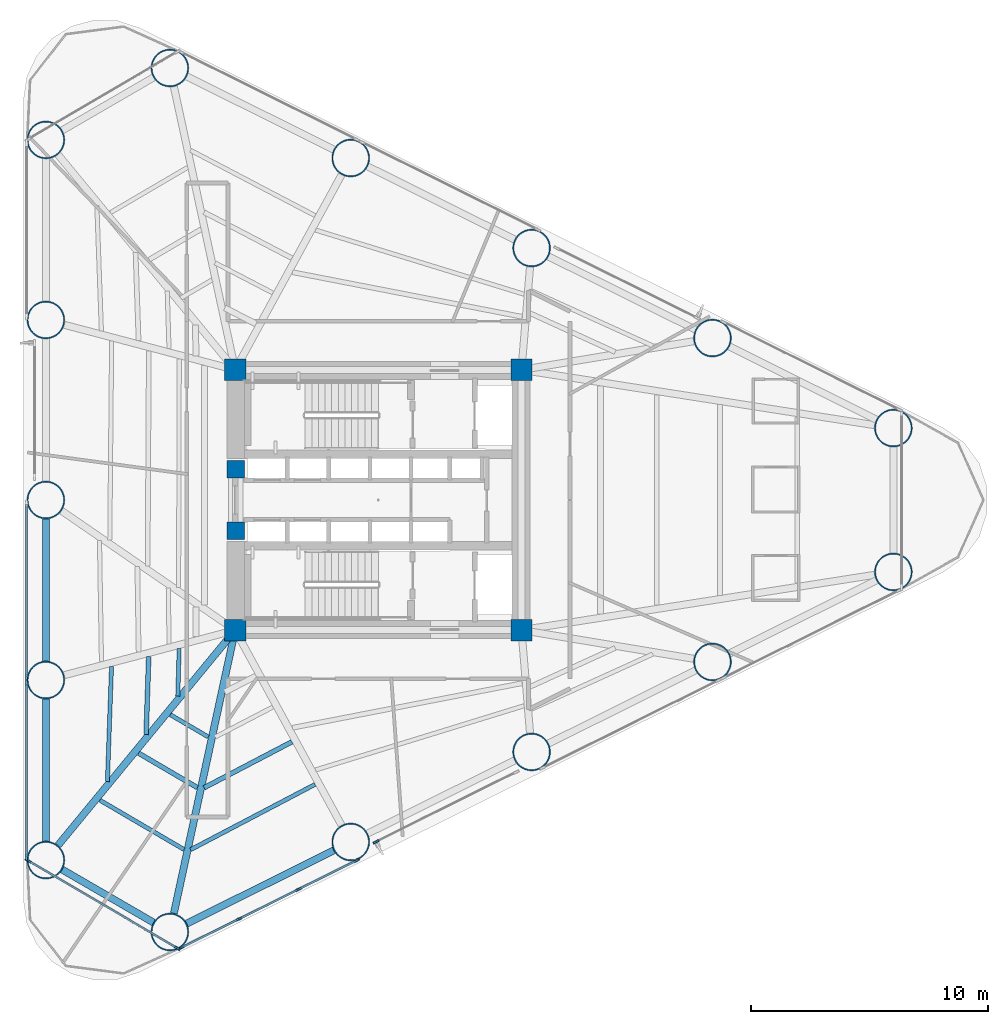
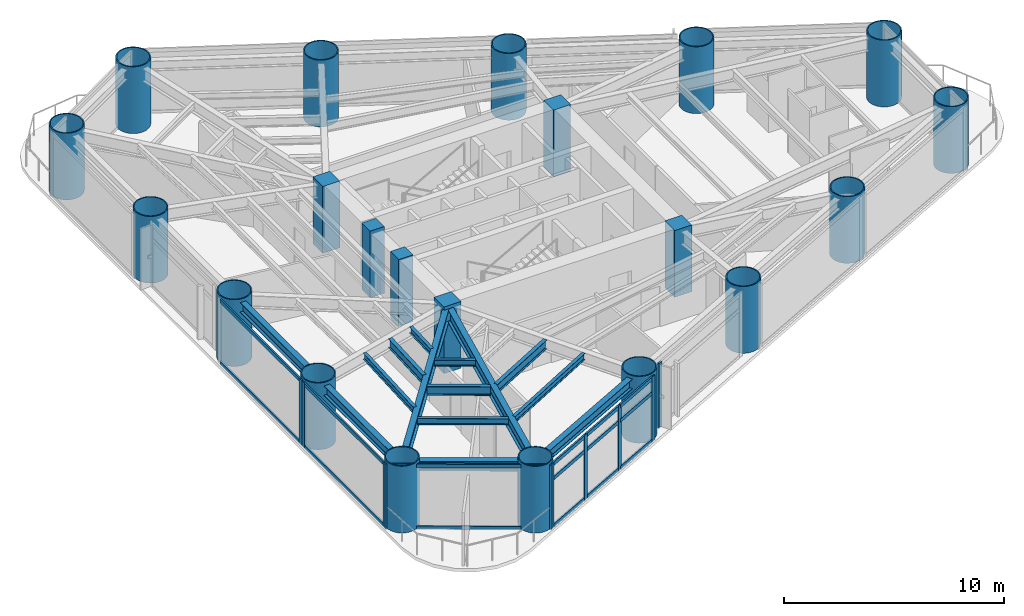
# One storey, part 1 of 10: 25 members, 21 columns, 14 beams, 5 elements without a shape of their own.
"""IFC4 building model written with IfcOpenShell, lengths in metres."""

import ifcopenshell
import ifcopenshell.guid

model = None  # the IFC model being written
_history = None  # IfcOwnerHistory: only IFC2X3 demands one
_inside = {}  # id of a spatial element -> (the spatial element, [elements in it])
_under = {}  # id of a project, library or spatial element -> (it, [spatial elements below it])
_declared = {}  # id of a project -> (the project, [libraries it declares])
_typed = {}  # id of a type object -> (the type object, [elements of that type])
_made_of = {}  # id of a material, layer set ... -> (it, [elements and type objects made of it])


def new_model(schema):
    """Start an empty IFC model of exactly this schema.

    Asked for "IFC4X3", IfcOpenShell would pick the latest addendum, in which some entities
    have other attributes; the version numbers below select the first issue.
    IFC2X3 requires an IfcOwnerHistory on every rooted entity: one is made here for all.
    """
    global model, _history
    if schema == "IFC4X3":
        model = ifcopenshell.file(schema_version=(4, 3, 0, 0))
    else:
        model = ifcopenshell.file(schema=schema)
    _inside.clear()
    _under.clear()
    _declared.clear()
    _typed.clear()
    _made_of.clear()
    _history = None
    if model.schema == "IFC2X3":
        org = make("IfcOrganization", Name="unknown")
        user = make(
            "IfcPersonAndOrganization",
            ThePerson=make("IfcPerson", FamilyName="unknown"),
            TheOrganization=org,
        )
        app = make(
            "IfcApplication",
            ApplicationDeveloper=org,
            Version="unknown",
            ApplicationFullName="unknown",
            ApplicationIdentifier="unknown",
        )
        _history = make(
            "IfcOwnerHistory",
            OwningUser=user,
            OwningApplication=app,
            ChangeAction="ADDED",
            CreationDate=0,
        )
    return model


def make(cls, **values):
    """One entity of the class cls with the attributes given. An attribute that is None is left unset."""
    return model.create_entity(
        cls, **{name: value for name, value in values.items() if value is not None}
    )


def rooted(cls, **values):
    """An entity with a GlobalId (a new one), such as an element, a storey or a relation."""
    return make(cls, GlobalId=ifcopenshell.guid.new(), OwnerHistory=_history, **values)


def si_unit(unit_type, name, prefix=None):
    """IfcSIUnit, for example si_unit("LENGTHUNIT", "METRE", prefix="MILLI")."""
    return make("IfcSIUnit", UnitType=unit_type, Prefix=prefix, Name=name)


def assignment(units):
    """IfcUnitAssignment: the units of a project."""
    return None if units is None else make("IfcUnitAssignment", Units=units)


def point(xyz):
    """IfcCartesianPoint."""
    return None if xyz is None else make("IfcCartesianPoint", Coordinates=xyz)


def direction(xyz):
    """IfcDirection."""
    return None if xyz is None else make("IfcDirection", DirectionRatios=xyz)


def frame(location, z_axis=None, x_axis=None):
    """IfcAxis2Placement3D, a coordinate frame: its origin and axes. An axis left out is left unset."""
    return make(
        "IfcAxis2Placement3D",
        Location=point(location),
        Axis=direction(z_axis),
        RefDirection=direction(x_axis),
    )


def frame_2d(location, x_axis=None):
    """IfcAxis2Placement2D, a coordinate frame in the plane: its origin and x axis."""
    return make(
        "IfcAxis2Placement2D", Location=point(location), RefDirection=direction(x_axis)
    )


def origin():
    """The frame at (0, 0, 0) with its axes left unset."""
    return frame((0.0, 0.0, 0.0))


def origin_2d():
    """The frame at (0, 0) in the plane with its x axis left unset."""
    return frame_2d((0.0, 0.0))


def place(relative_to, where):
    """IfcLocalPlacement: puts the frame where relative to a parent placement (None: the world)."""
    return make(
        "IfcLocalPlacement", PlacementRelTo=relative_to, RelativePlacement=where
    )


def context(
    kind, dimensions, precision=None, world=None, true_north=None, identifier=None
):
    """IfcGeometricRepresentationContext, for example the 3D "Model" context."""
    return make(
        "IfcGeometricRepresentationContext",
        ContextIdentifier=identifier,
        ContextType=kind,
        CoordinateSpaceDimension=dimensions,
        Precision=precision,
        WorldCoordinateSystem=world,
        TrueNorth=true_north,
    )


def subcontext(parent, identifier, kind, view, scale=None):
    """IfcGeometricRepresentationSubContext, for example "Body" below "Model"."""
    return make(
        "IfcGeometricRepresentationSubContext",
        ContextIdentifier=identifier,
        ContextType=kind,
        ParentContext=parent,
        TargetScale=scale,
        TargetView=view,
    )


def project(units=None, contexts=None):
    """IfcProject with its units and contexts."""
    return rooted(
        "IfcProject",
        Name="project",
        RepresentationContexts=contexts,
        UnitsInContext=assignment(units),
    )


def spatial(cls, under=None, at=None, **own):
    """A site, building, storey or space (cls), placed at a placement, below another one or the project."""
    s = rooted(cls, ObjectPlacement=at, **own)
    if under is not None:
        _under.setdefault(under.id(), (under, []))[1].append(s)
    return s


def profile(cls, at=None, kind="AREA", **sizes):
    """A parametric profile (cls). Its sizes go by their IFC names, for example OverallWidth=200.0."""
    return make(cls, ProfileType=kind, Position=at, **sizes)


def rectangle(**sizes):
    """IfcRectangleProfileDef."""
    return profile("IfcRectangleProfileDef", **sizes)


def hollow_circle(**sizes):
    """IfcCircleHollowProfileDef."""
    return profile("IfcCircleHollowProfileDef", **sizes)


def i_section(**sizes):
    """IfcIShapeProfileDef."""
    return profile("IfcIShapeProfileDef", **sizes)


def extrude(swept, where, along, depth):
    """IfcExtrudedAreaSolid: the profile swept, set in the frame where, extruded along a direction by depth."""
    return make(
        "IfcExtrudedAreaSolid",
        SweptArea=swept,
        Position=where,
        ExtrudedDirection=direction(along),
        Depth=depth,
    )


def shape(context_of_items, identifier, shape_type, items):
    """IfcShapeRepresentation: the items that make up one representation, for example the "Body"."""
    return make(
        "IfcShapeRepresentation",
        ContextOfItems=context_of_items,
        RepresentationIdentifier=identifier,
        RepresentationType=shape_type,
        Items=items,
    )


def source(mapping_origin, context_of_items, identifier, shape_type, items):
    """IfcRepresentationMap: a shape defined once, which mapped items show again and again."""
    return make(
        "IfcRepresentationMap",
        MappingOrigin=mapping_origin,
        MappedRepresentation=shape(context_of_items, identifier, shape_type, items),
    )


def transform(
    local_origin,
    x_axis=None,
    y_axis=None,
    z_axis=None,
    scale=None,
    scale2=None,
    scale3=None,
    uniform=True,
):
    """IfcCartesianTransformationOperator3D, or its non-uniform kind. x_axis, y_axis, z_axis: its Axis1, 2, 3."""
    if uniform:
        return make(
            "IfcCartesianTransformationOperator3D",
            Axis1=direction(x_axis),
            Axis2=direction(y_axis),
            LocalOrigin=point(local_origin),
            Scale=scale,
            Axis3=direction(z_axis),
        )
    return make(
        "IfcCartesianTransformationOperator3DnonUniform",
        Axis1=direction(x_axis),
        Axis2=direction(y_axis),
        LocalOrigin=point(local_origin),
        Scale=scale,
        Axis3=direction(z_axis),
        Scale2=scale2,
        Scale3=scale3,
    )


def mapped(mapping_source, mapping_target):
    """IfcMappedItem: shows the shape of a source again, moved by a transform."""
    return make(
        "IfcMappedItem", MappingSource=mapping_source, MappingTarget=mapping_target
    )


def material(Name=None, Category=None):
    """IfcMaterial."""
    return make("IfcMaterial", Name=Name, Category=Category)


def layer(
    of_material, thickness, ventilated=None, Name=None, Category=None, Priority=None
):
    """IfcMaterialLayer: one layer of a wall or slab, of a material (None: an air gap)."""
    return make(
        "IfcMaterialLayer",
        Material=of_material,
        LayerThickness=thickness,
        IsVentilated=ventilated,
        Name=Name,
        Category=Category,
        Priority=Priority,
    )


def layer_set(layers, Name=None):
    """IfcMaterialLayerSet."""
    return make("IfcMaterialLayerSet", MaterialLayers=layers, LayerSetName=Name)


def material_profile(
    of_material, cross_section, Name=None, Category=None, Priority=None
):
    """IfcMaterialProfile: a cross section and its material."""
    return make(
        "IfcMaterialProfile",
        Name=Name,
        Material=of_material,
        Profile=cross_section,
        Priority=Priority,
        Category=Category,
    )


def profile_set(profiles, Name=None, composite=None):
    """IfcMaterialProfileSet."""
    return make(
        "IfcMaterialProfileSet",
        Name=Name,
        MaterialProfiles=profiles,
        CompositeProfile=composite,
    )


def made_of(thing, what):
    """Note that an element or type object is made of a material, layer set ...; save() writes the relation."""
    if what is not None:
        _made_of.setdefault(what.id(), (what, []))[1].append(thing)
    return thing


def type_object(cls, material=None, **own):
    """A type object (cls), such as IfcWallType, which elements share."""
    return made_of(rooted(cls, **own), material)


def element(
    cls,
    number,
    at=None,
    inside=None,
    cuts=None,
    type_object=None,
    material=None,
    context=None,
    identifier="Body",
    shape_type=None,
    held_by="IfcProductDefinitionShape",
    body=None,
    shapes=None,
    **own,
):
    """One element of the class cls, such as IfcWall. Its Tag is "e" and its number.

    at: its placement. inside: the storey or other place that contains it. cuts: it is an
    opening in that element (IfcRelVoidsElement). A single representation is given by context,
    identifier, shape_type and body (its items); several are given by shapes. held_by: the class
    of the entity that holds the representations. save() writes the other relations.
    """
    e = rooted(cls, Tag="e%d" % number, ObjectPlacement=at, **own)
    if body is not None:
        shapes = [shape(context, identifier, shape_type, body)]
    if shapes is not None:
        e.Representation = make(held_by, Representations=shapes)
    if inside is not None:
        _inside.setdefault(inside.id(), (inside, []))[1].append(e)
    if cuts is not None:
        rooted(
            "IfcRelVoidsElement", RelatingBuildingElement=cuts, RelatedOpeningElement=e
        )
    if type_object is not None:
        _typed.setdefault(type_object.id(), (type_object, []))[1].append(e)
    return made_of(e, material)


def aggregate(whole, parts):
    """IfcRelAggregates: a whole, such as a stair, and the parts it consists of."""
    return rooted("IfcRelAggregates", RelatingObject=whole, RelatedObjects=parts)


def save(model, path):
    """Write the relations noted so far, then the file.

    IfcRelAggregates (storeys below a building ...), IfcRelContainedInSpatialStructure (elements
    in a storey), IfcRelDefinesByType, IfcRelAssociatesMaterial and IfcRelDeclares: one each for
    every whole, place, type object, material and project.
    """
    for whole, parts in _under.values():
        aggregate(whole, parts)
    for where, things in _inside.values():
        rooted(
            "IfcRelContainedInSpatialStructure",
            RelatedElements=things,
            RelatingStructure=where,
        )
    for kind, things in _typed.values():
        rooted("IfcRelDefinesByType", RelatedObjects=things, RelatingType=kind)
    for what, things in _made_of.values():
        rooted("IfcRelAssociatesMaterial", RelatedObjects=things, RelatingMaterial=what)
    for by, libraries in _declared.values():
        rooted("IfcRelDeclares", RelatingContext=by, RelatedDefinitions=libraries)
    model.write(path)


model = new_model("IFC4")

# Units and contexts
model_context = context("Model", 3, precision=1e-05, world=origin(), true_north=direction((0.0, 1.0)))
body_context = subcontext(model_context, "Body", "Model", "MODEL_VIEW")
ifc_project = project(units=[si_unit("LENGTHUNIT", "METRE"), si_unit("AREAUNIT", "SQUARE_METRE"), si_unit("VOLUMEUNIT", "CUBIC_METRE"), si_unit("PLANEANGLEUNIT", "RADIAN"), si_unit("MASSUNIT", "GRAM", prefix="KILO")], contexts=[model_context])

# Site, building, storey
site_placement = place(None, origin())
site = spatial("IfcSite", under=ifc_project, at=site_placement, CompositionType="ELEMENT")
building_placement = place(site_placement, origin())
building = spatial("IfcBuilding", under=site, at=building_placement, Name="Yunling Apex Tower", CompositionType="ELEMENT")
storey_placement = place(building_placement, frame((0.0, 0.0, 38.60009765625)))
storey = spatial("IfcBuildingStorey", under=building, at=storey_placement, Name="L11", CompositionType="ELEMENT", Elevation=38.60009765625)

# Columns
ifc_material_1 = material(Name="Concrete C60", Category="concrete")
ifc_material_profile_1 = material_profile(ifc_material_1, rectangle(XDim=0.89990234375, YDim=0.89990234375, at=origin_2d()))
ifc_profile_set_1 = profile_set([ifc_material_profile_1], Name="Concrete C60")
column_type_1 = type_object("IfcColumnType", Name="PC-SRC-3", PredefinedType="COLUMN", material=ifc_profile_set_1)
shared_shape_1 = source(origin(), body_context, "Body", "SweptSolid", [
    extrude(rectangle(XDim=0.89990234375, YDim=0.89990234375, at=origin_2d()), origin(), (0.0, 0.0, 1.0), 3.699951171875),
])
for number, where, z_axis, x_axis, name in (
    (1, (-6.050048828125, -5.5, 0.0), (0.0, 0.0, 1.0), (1.0, 0.0, 0.0), "L11 Core Spine Column CC-SW"),
    (2, (6.050048828125, -5.5, 0.0), (0.0, 0.0, 1.0), (1.0, 0.0, 0.0), "L11 Core Spine Column CC-SE"),
    (3, (6.050048828125, 5.5, 0.0), (0.0, 0.0, 1.0), (1.0, 0.0, 0.0), "L11 Core Spine Column CC-NE"),
    (4, (-6.050048828125, 5.5, 0.0), (0.0, 0.0, 1.0), (1.0, 0.0, 0.0), "L11 Core Spine Column CC-NW"),
):
    element("IfcColumn", number, at=place(storey_placement, frame(where, z_axis=z_axis, x_axis=x_axis)), inside=storey, type_object=column_type_1, Name=name, PredefinedType="COLUMN", context=body_context, shape_type="MappedRepresentation", body=[
        mapped(shared_shape_1, transform((0.0, 0.0, 0.0), scale=1.0)),
    ])
ifc_material_2 = material(Name="Concrete C50", Category="concrete")
ifc_material_profile_2 = material_profile(ifc_material_2, rectangle(XDim=0.75, YDim=0.75, at=origin_2d()))
ifc_profile_set_2 = profile_set([ifc_material_profile_2], Name="Concrete C50")
column_type_2 = type_object("IfcColumnType", Name="PC-SRC-4", PredefinedType="COLUMN", material=ifc_profile_set_2)
shared_shape_2 = source(origin(), body_context, "Body", "SweptSolid", [
    extrude(rectangle(XDim=0.75, YDim=0.75, at=origin_2d()), origin(), (0.0, 0.0, 1.0), 3.699951171875),
])
for number, where, z_axis, x_axis, name in (
    (5, (-6.02490234375, -1.300048828125, 0.0), (0.0, 0.0, 1.0), (1.0, 0.0, 0.0), "L11 Core West Portal Jamb Column S"),
    (6, (-6.02490234375, 1.300048828125, 0.0), (0.0, 0.0, 1.0), (1.0, 0.0, 0.0), "L11 Core West Portal Jamb Column N"),
):
    element("IfcColumn", number, at=place(storey_placement, frame(where, z_axis=z_axis, x_axis=x_axis)), inside=storey, type_object=column_type_2, Name=name, PredefinedType="COLUMN", context=body_context, shape_type="MappedRepresentation", body=[
        mapped(shared_shape_2, transform((0.0, 0.0, 0.0), scale=1.0)),
    ])
ifc_material_3 = material(Name="Steel Q390GJC", Category="steel")
ifc_material_profile_3 = material_profile(ifc_material_3, hollow_circle(Radius=0.800048828125, WallThickness=0.054931640625, at=origin_2d()))
ifc_profile_set_3 = profile_set([ifc_material_profile_3], Name="Steel Q390GJC")
column_type_3 = type_object("IfcColumnType", Name="MC-CFST-1", PredefinedType="COLUMN", material=ifc_profile_set_3)
shared_shape_3 = source(origin(), body_context, "Body", "SweptSolid", [
    extrude(hollow_circle(Radius=0.800048828125, WallThickness=0.054931640625, at=origin_2d()), origin(), (0.0, 0.0, 1.0), 3.699951171875),
])
for number, where, z_axis, x_axis, name in (
    (7, (-8.8115234375, -18.2578125, 0.0), (0.0, 0.0, 1.0), (1.0, 0.0, 0.0), "L11 Perimeter CFST Mega-Column P01"),
    (8, (-1.1669921875, -14.453125, 0.0), (0.0, 0.0, 1.0), (1.0, 0.0, 0.0), "L11 Perimeter CFST Mega-Column P02"),
    (9, (6.477294921875, -10.648193359375, 0.0), (0.0, 0.0, 1.0), (1.0, 0.0, 0.0), "L11 Perimeter CFST Mega-Column P03"),
    (10, (14.121826171875, -6.843505859375, 0.0), (0.0, 0.0, 1.0), (1.0, 0.0, 0.0), "L11 Perimeter CFST Mega-Column P04"),
    (11, (21.76611328125, -3.038818359375, 0.0), (0.0, 0.0, 1.0), (1.0, 0.0, 0.0), "L11 Perimeter CFST Mega-Column P05"),
    (12, (21.76611328125, 3.038818359375, 0.0), (0.0, 0.0, 1.0), (1.0, 0.0, 0.0), "L11 Perimeter CFST Mega-Column P06"),
    (13, (14.121826171875, 6.843505859375, 0.0), (0.0, 0.0, 1.0), (1.0, 0.0, 0.0), "L11 Perimeter CFST Mega-Column P07"),
    (14, (6.477294921875, 10.648193359375, 0.0), (0.0, 0.0, 1.0), (1.0, 0.0, 0.0), "L11 Perimeter CFST Mega-Column P08"),
    (15, (-1.1669921875, 14.453125, 0.0), (0.0, 0.0, 1.0), (1.0, 0.0, 0.0), "L11 Perimeter CFST Mega-Column P09"),
    (16, (-8.8115234375, 18.2578125, 0.0), (0.0, 0.0, 1.0), (1.0, 0.0, 0.0), "L11 Perimeter CFST Mega-Column P10"),
    (17, (-14.052001953125, 15.218994140625, 0.0), (0.0, 0.0, 1.0), (1.0, 0.0, 0.0), "L11 Perimeter CFST Mega-Column P11"),
    (18, (-14.052001953125, 7.609619140625, 0.0), (0.0, 0.0, 1.0), (1.0, 0.0, 0.0), "L11 Perimeter CFST Mega-Column P12"),
    (19, (-14.052001953125, 0.0, 0.0), (0.0, 0.0, 1.0), (1.0, 0.0, 0.0), "L11 Perimeter CFST Mega-Column P13"),
    (20, (-14.052001953125, -7.609619140625, 0.0), (0.0, 0.0, 1.0), (1.0, 0.0, 0.0), "L11 Perimeter CFST Mega-Column P14"),
    (21, (-14.052001953125, -15.218994140625, 0.0), (0.0, 0.0, 1.0), (1.0, 0.0, 0.0), "L11 Perimeter CFST Mega-Column P15"),
):
    element("IfcColumn", number, at=place(storey_placement, frame(where, z_axis=z_axis, x_axis=x_axis)), inside=storey, type_object=column_type_3, Name=name, PredefinedType="COLUMN", context=body_context, shape_type="MappedRepresentation", body=[
        mapped(shared_shape_3, transform((0.0, 0.0, 0.0), scale=1.0)),
    ])

# Beams
ifc_material_4 = material(Name="Steel Q355B", Category="steel")
ifc_material_profile_4 = material_profile(ifc_material_4, i_section(OverallWidth=0.300048828125, OverallDepth=0.5400390625, WebThickness=0.011962890625, FlangeThickness=0.02001953125, FilletRadius=0.02392578125, at=origin_2d()))
ifc_profile_set_4 = profile_set([ifc_material_profile_4], Name="Steel Q355B")
beam_type_1 = type_object("IfcBeamType", Name="BP-SPN-1", PredefinedType="SPANDREL", material=ifc_profile_set_4)
shared_shape_4 = source(origin(), body_context, "Body", "SweptSolid", [
    extrude(i_section(OverallWidth=0.300048828125, OverallDepth=0.5400390625, WebThickness=0.011962890625, FlangeThickness=0.02001953125, FilletRadius=0.02392578125, at=origin_2d()), origin(), (0.0, 0.0, 1.0), 6.950927734375),
])
beam_1_placement = place(storey_placement, frame((-8.1005859375, -17.904052734375, 3.244873046875), z_axis=(0.89524058306, 0.445583099368, 0.0), x_axis=(-0.445583099368, 0.89524058306, 0.0)))
element("IfcBeam", 22, at=beam_1_placement, inside=storey, type_object=beam_type_1, Name="L11 Perimeter Spandrel Beam 1", PredefinedType="SPANDREL", context=body_context, shape_type="MappedRepresentation", body=[
    mapped(shared_shape_4, transform((0.0, 0.0, 0.0), scale=1.0)),
])
shared_shape_5 = source(origin(), body_context, "Body", "SweptSolid", [
    extrude(i_section(OverallWidth=0.300048828125, OverallDepth=0.5400390625, WebThickness=0.011962890625, FlangeThickness=0.02001953125, FilletRadius=0.02392578125, at=origin_2d()), origin(), (0.0, 0.0, 1.0), 4.469970703125),
])
beam_2_placement = place(storey_placement, frame((-13.364990234375, -15.6171875, 3.244873046875), z_axis=(0.865055841155, -0.501675584102, 0.0), x_axis=(0.501675584102, 0.865055841155, 0.0)))
element("IfcBeam", 23, at=beam_2_placement, inside=storey, type_object=beam_type_1, Name="L11 Perimeter Spandrel Beam 15", PredefinedType="SPANDREL", context=body_context, shape_type="MappedRepresentation", body=[
    mapped(shared_shape_5, transform((0.0, 0.0, 0.0), scale=1.0)),
])
shared_shape_6 = source(origin(), body_context, "Body", "SweptSolid", [
    extrude(i_section(OverallWidth=0.300048828125, OverallDepth=0.5400390625, WebThickness=0.011962890625, FlangeThickness=0.02001953125, FilletRadius=0.02392578125, at=origin_2d()), origin(), (0.0, 0.0, 1.0), 6.021240234375),
])
beam_3_placement = place(storey_placement, frame((-14.052001953125, -8.403564453125, 3.244873046875), z_axis=(0.0, -1.0, 0.0), x_axis=(1.0, 0.0, 0.0)))
element("IfcBeam", 24, at=beam_3_placement, inside=storey, type_object=beam_type_1, Name="L11 Perimeter Spandrel Beam 14", PredefinedType="SPANDREL", context=body_context, shape_type="MappedRepresentation", body=[
    mapped(shared_shape_6, transform((0.0, 0.0, 0.0), scale=1.0)),
])
shared_shape_7 = source(origin(), body_context, "Body", "SweptSolid", [
    extrude(i_section(OverallWidth=0.300048828125, OverallDepth=0.5400390625, WebThickness=0.011962890625, FlangeThickness=0.02001953125, FilletRadius=0.02392578125, at=origin_2d()), origin(), (0.0, 0.0, 1.0), 6.021484375),
])
beam_4_placement = place(storey_placement, frame((-14.052001953125, -0.7939453125, 3.244873046875), z_axis=(0.0, -1.0, 0.0), x_axis=(1.0, 0.0, 0.0)))
element("IfcBeam", 25, at=beam_4_placement, inside=storey, type_object=beam_type_1, Name="L11 Perimeter Spandrel Beam 13", PredefinedType="SPANDREL", context=body_context, shape_type="MappedRepresentation", body=[
    mapped(shared_shape_7, transform((0.0, 0.0, 0.0), scale=1.0)),
])
ifc_material_profile_5 = material_profile(ifc_material_4, i_section(OverallWidth=0.300048828125, OverallDepth=0.699951171875, WebThickness=0.012939453125, FlangeThickness=0.02392578125, FilletRadius=0.02587890625, at=origin_2d()))
ifc_profile_set_5 = profile_set([ifc_material_profile_5], Name="Steel Q355B")
beam_type_2 = type_object("IfcBeamType", Name="BG-PRI-3", PredefinedType="USERDEFINED", material=ifc_profile_set_5)
shared_shape_8 = source(origin(), body_context, "Body", "SweptSolid", [
    extrude(i_section(OverallWidth=0.300048828125, OverallDepth=0.699951171875, WebThickness=0.012939453125, FlangeThickness=0.02392578125, FilletRadius=0.02587890625, at=origin_2d()), origin(), (0.0, 0.0, 1.0), 12.165283203125),
])
beam_5_placement = place(storey_placement, frame((-8.640625, -17.468017578125, 3.164794921875), z_axis=(0.2115638914, 0.977364169517, 0.0), x_axis=(-0.977364169517, 0.2115638914, 0.0)))
element("IfcBeam", 26, at=beam_5_placement, inside=storey, type_object=beam_type_2, Name="L11 Radial Primary Girder R01", ObjectType="GIRDER", PredefinedType="USERDEFINED", context=body_context, shape_type="MappedRepresentation", body=[
    mapped(shared_shape_8, transform((0.0, 0.0, 0.0), scale=1.0)),
])
shared_shape_9 = source(origin(), body_context, "Body", "SweptSolid", [
    extrude(i_section(OverallWidth=0.300048828125, OverallDepth=0.699951171875, WebThickness=0.012939453125, FlangeThickness=0.02392578125, FilletRadius=0.02587890625, at=origin_2d()), origin(), (0.0, 0.0, 1.0), 11.701171875),
])
beam_6_placement = place(storey_placement, frame((-13.538330078125, -14.59521484375, 3.164794921875), z_axis=(0.635615100524, 0.772006116547, 0.0), x_axis=(-0.772006116547, 0.635615100524, 0.0)))
element("IfcBeam", 27, at=beam_6_placement, inside=storey, type_object=beam_type_2, Name="L11 Radial Primary Girder R15", ObjectType="GIRDER", PredefinedType="USERDEFINED", context=body_context, shape_type="MappedRepresentation", body=[
    mapped(shared_shape_9, transform((0.0, 0.0, 0.0), scale=1.0)),
])
ifc_material_profile_6 = material_profile(ifc_material_4, i_section(OverallWidth=0.199951171875, OverallDepth=0.5, WebThickness=0.010009765625, FlangeThickness=0.01611328125, FilletRadius=0.02001953125, at=origin_2d()))
ifc_profile_set_6 = profile_set([ifc_material_profile_6], Name="Steel Q355B")
beam_type_3 = type_object("IfcBeamType", Name="BS-SEC-2", PredefinedType="BEAM", material=ifc_profile_set_6)
shared_shape_10 = source(origin(), body_context, "Body", "SweptSolid", [
    extrude(i_section(OverallWidth=0.199951171875, OverallDepth=0.5, WebThickness=0.010009765625, FlangeThickness=0.01611328125, FilletRadius=0.02001953125, at=origin_2d()), origin(), (0.0, 0.0, 1.0), 4.186279296875),
])
beam_7_placement = place(storey_placement, frame((-7.366455078125, -12.162353515625, 3.264892578125), z_axis=(0.886028927656, 0.463629959512, 0.0), x_axis=(-0.463629959512, 0.886028927656, 0.0)))
element("IfcBeam", 28, at=beam_7_placement, inside=storey, type_object=beam_type_3, Name="L11 Composite Floor Beam BS-1", PredefinedType="BEAM", context=body_context, shape_type="MappedRepresentation", body=[
    mapped(shared_shape_10, transform((0.0, 0.0, 0.0), scale=1.0)),
])
ifc_material_profile_7 = material_profile(ifc_material_4, i_section(OverallWidth=0.175048828125, OverallDepth=0.35009765625, WebThickness=0.007080078125, FlangeThickness=0.010986328125, FilletRadius=0.013916015625, at=origin_2d()))
ifc_profile_set_7 = profile_set([ifc_material_profile_7], Name="Steel Q355B")
beam_type_4 = type_object("IfcBeamType", Name="BJ-JST-1", PredefinedType="JOIST", material=ifc_profile_set_7)
shared_shape_11 = source(origin(), body_context, "Body", "SweptSolid", [
    extrude(i_section(OverallWidth=0.175048828125, OverallDepth=0.35009765625, WebThickness=0.007080078125, FlangeThickness=0.010986328125, FilletRadius=0.013916015625, at=origin_2d()), origin(), (0.0, 0.0, 1.0), 5.935791015625),
])
beam_8_placement = place(storey_placement, frame((-7.9326171875, -14.778076171875, 3.33984375), z_axis=(0.885494794786, 0.464649296144, 0.0), x_axis=(-0.464649296144, 0.885494794786, 0.0)))
element("IfcBeam", 29, at=beam_8_placement, inside=storey, type_object=beam_type_4, Name="L11 Composite Floor Joist BJ1-1", PredefinedType="JOIST", context=body_context, shape_type="MappedRepresentation", body=[
    mapped(shared_shape_11, transform((0.0, 0.0, 0.0), scale=1.0)),
])
shared_shape_12 = source(origin(), body_context, "Body", "SweptSolid", [
    extrude(i_section(OverallWidth=0.199951171875, OverallDepth=0.5, WebThickness=0.010009765625, FlangeThickness=0.01611328125, FilletRadius=0.02001953125, at=origin_2d()), origin(), (0.0, 0.0, 1.0), 3.29833984375),
])
beam_9_placement = place(storey_placement, frame((-9.704345703125, -6.621826171875, 3.264892578125), z_axis=(-0.033307436794, -0.9994451534, 0.0), x_axis=(0.9994451534, -0.033307436794, 0.0)))
element("IfcBeam", 30, at=beam_9_placement, inside=storey, type_object=beam_type_3, Name="L11 Composite Floor Beam BS-14", PredefinedType="BEAM", context=body_context, shape_type="MappedRepresentation", body=[
    mapped(shared_shape_12, transform((0.0, 0.0, 0.0), scale=1.0)),
])
shared_shape_13 = source(origin(), body_context, "Body", "SweptSolid", [
    extrude(i_section(OverallWidth=0.175048828125, OverallDepth=0.35009765625, WebThickness=0.007080078125, FlangeThickness=0.010986328125, FilletRadius=0.013916015625, at=origin_2d()), origin(), (0.0, 0.0, 1.0), 4.873046875),
])
beam_10_placement = place(storey_placement, frame((-11.2763671875, -7.0361328125, 3.33984375), z_axis=(-0.035671873065, -0.999363556206, 0.0), x_axis=(0.999363556206, -0.035671873065, 0.0)))
element("IfcBeam", 31, at=beam_10_placement, inside=storey, type_object=beam_type_4, Name="L11 Composite Floor Joist BJ1-14", PredefinedType="JOIST", context=body_context, shape_type="MappedRepresentation", body=[
    mapped(shared_shape_13, transform((0.0, 0.0, 0.0), scale=1.0)),
])
shared_shape_14 = source(origin(), body_context, "Body", "SweptSolid", [
    extrude(i_section(OverallWidth=0.175048828125, OverallDepth=0.35009765625, WebThickness=0.007080078125, FlangeThickness=0.010986328125, FilletRadius=0.013916015625, at=origin_2d()), origin(), (0.0, 0.0, 1.0), 2.01025390625),
])
beam_11_placement = place(storey_placement, frame((-8.41796875, -6.282958984375, 3.33984375), z_axis=(-0.029024336113, -0.999578705212, 0.0), x_axis=(0.999578705212, -0.029024336113, 0.0)))
element("IfcBeam", 32, at=beam_11_placement, inside=storey, type_object=beam_type_4, Name="L11 Composite Floor Joist BJ3-14", PredefinedType="JOIST", context=body_context, shape_type="MappedRepresentation", body=[
    mapped(shared_shape_14, transform((0.0, 0.0, 0.0), scale=1.0)),
])
shared_shape_15 = source(origin(), body_context, "Body", "SweptSolid", [
    extrude(i_section(OverallWidth=0.199951171875, OverallDepth=0.5, WebThickness=0.010009765625, FlangeThickness=0.01611328125, FilletRadius=0.02001953125, at=origin_2d()), origin(), (0.0, 0.0, 1.0), 2.876220703125),
])
beam_12_placement = place(storey_placement, frame((-10.127685546875, -10.701416015625, 3.264892578125), z_axis=(0.862779689624, -0.505580069992, 0.0), x_axis=(0.505580069992, 0.862779689624, 0.0)))
element("IfcBeam", 33, at=beam_12_placement, inside=storey, type_object=beam_type_3, Name="L11 Composite Floor Beam BS-15", PredefinedType="BEAM", context=body_context, shape_type="MappedRepresentation", body=[
    mapped(shared_shape_15, transform((0.0, 0.0, 0.0), scale=1.0)),
])
shared_shape_16 = source(origin(), body_context, "Body", "SweptSolid", [
    extrude(i_section(OverallWidth=0.175048828125, OverallDepth=0.35009765625, WebThickness=0.007080078125, FlangeThickness=0.010986328125, FilletRadius=0.013916015625, at=origin_2d()), origin(), (0.0, 0.0, 1.0), 4.117431640625),
])
beam_13_placement = place(storey_placement, frame((-11.76416015625, -12.688720703125, 3.33984375), z_axis=(0.86262392079, -0.505845797928, 0.0), x_axis=(0.505845797928, 0.86262392079, 0.0)))
element("IfcBeam", 34, at=beam_13_placement, inside=storey, type_object=beam_type_4, Name="L11 Composite Floor Joist BJ1-15", PredefinedType="JOIST", context=body_context, shape_type="MappedRepresentation", body=[
    mapped(shared_shape_16, transform((0.0, 0.0, 0.0), scale=1.0)),
])
shared_shape_17 = source(origin(), body_context, "Body", "SweptSolid", [
    extrude(i_section(OverallWidth=0.175048828125, OverallDepth=0.35009765625, WebThickness=0.007080078125, FlangeThickness=0.010986328125, FilletRadius=0.013916015625, at=origin_2d()), origin(), (0.0, 0.0, 1.0), 1.86083984375),
])
beam_14_placement = place(storey_placement, frame((-8.7890625, -9.0751953125, 3.33984375), z_axis=(0.862987962162, -0.505224481953, 0.0), x_axis=(0.505224481953, 0.862987962162, 0.0)))
element("IfcBeam", 35, at=beam_14_placement, inside=storey, type_object=beam_type_4, Name="L11 Composite Floor Joist BJ3-15", PredefinedType="JOIST", context=body_context, shape_type="MappedRepresentation", body=[
    mapped(shared_shape_17, transform((0.0, 0.0, 0.0), scale=1.0)),
])

# Curtain wall, members
ifc_material_5 = material(Name="Bronze anodised aluminium", Category="aluminium")
ifc_layer = layer(ifc_material_5, 0.260009765625)
ifc_layer_set = layer_set([ifc_layer], Name="Bronze anodised aluminium")
curtain_wall_type = type_object("IfcCurtainWallType", Name="CW-SYS-2", PredefinedType="NOTDEFINED", material=ifc_layer_set)
curtain_wall_1_placement = place(storey_placement, origin())
curtain_wall_1 = element("IfcCurtainWall", 36, at=curtain_wall_1_placement, inside=storey, type_object=curtain_wall_type, Name="CW-L11-F1-B1", PredefinedType="NOTDEFINED")
ifc_material_profile_8 = material_profile(ifc_material_5, rectangle(XDim=0.0849609375, YDim=0.260009765625, at=origin_2d()))
ifc_profile_set_8 = profile_set([ifc_material_profile_8], Name="Bronze anodised aluminium")
member_type_1 = type_object("IfcMemberType", Name="CW-MUL-2", PredefinedType="MULLION", material=ifc_profile_set_8)
shared_shape_18 = source(origin(), body_context, "Body", "SweptSolid", [
    extrude(rectangle(XDim=0.0849609375, YDim=0.260009765625, at=origin_2d()), origin(), (0.0, 0.0, 1.0), 3.614990234375),
])
member_1_placement = place(storey_placement, frame((-8.341064453125, -18.928466796875, -0.050048828125), z_axis=(0.0, 0.0, 1.0), x_axis=(-0.445570625003, 0.895246791748, 0.0)))
member_1 = element("IfcMember", 37, at=member_1_placement, type_object=member_type_1, Name="CW-SYS-2 mullion 1", PredefinedType="MULLION", context=body_context, shape_type="MappedRepresentation", body=[
    mapped(shared_shape_18, transform((0.0, 0.0, 0.0), scale=1.0)),
])
member_2_placement = place(storey_placement, frame((-5.878662109375, -17.702880859375, -0.050048828125), z_axis=(0.0, 0.0, 1.0), x_axis=(-0.445570625003, 0.895246791748, 0.0)))
member_2 = element("IfcMember", 38, at=member_2_placement, type_object=member_type_1, Name="CW-SYS-2 mullion 2", PredefinedType="MULLION", context=body_context, shape_type="MappedRepresentation", body=[
    mapped(shared_shape_18, transform((0.0, 0.0, 0.0), scale=1.0)),
])
member_3_placement = place(storey_placement, frame((-3.378173828125, -16.458251953125, -0.050048828125), z_axis=(0.0, 0.0, 1.0), x_axis=(-0.445570625003, 0.895246791748, 0.0)))
member_3 = element("IfcMember", 39, at=member_3_placement, type_object=member_type_1, Name="CW-SYS-2 mullion 3", PredefinedType="MULLION", context=body_context, shape_type="MappedRepresentation", body=[
    mapped(shared_shape_18, transform((0.0, 0.0, 0.0), scale=1.0)),
])
member_4_placement = place(storey_placement, frame((-0.915771484375, -15.23291015625, -0.050048828125), z_axis=(0.0, 0.0, 1.0), x_axis=(-0.445570625003, 0.895246791748, 0.0)))
member_4 = element("IfcMember", 40, at=member_4_placement, type_object=member_type_1, Name="CW-SYS-2 mullion 4", PredefinedType="MULLION", context=body_context, shape_type="MappedRepresentation", body=[
    mapped(shared_shape_18, transform((0.0, 0.0, 0.0), scale=1.0)),
])

# Curtain wall, member
curtain_wall_2_placement = place(storey_placement, origin())
curtain_wall_2 = element("IfcCurtainWall", 41, at=curtain_wall_2_placement, inside=storey, type_object=curtain_wall_type, Name="CW-L11-F1-B2", PredefinedType="NOTDEFINED")
member_5_placement = place(storey_placement, frame((-0.095947265625, -14.445068359375, -0.050048828125), z_axis=(0.0, 0.0, 1.0), x_axis=(-0.445582781121, 0.895240741459, 0.0)))
member_5 = element("IfcMember", 42, at=member_5_placement, type_object=member_type_1, Name="CW-SYS-2 mullion 1", PredefinedType="MULLION", context=body_context, shape_type="MappedRepresentation", body=[
    mapped(shared_shape_18, transform((0.0, 0.0, 0.0), scale=1.0)),
])
aggregate(curtain_wall_2, [member_5])

curtain_wall_3_placement = place(storey_placement, origin())
curtain_wall_3 = element("IfcCurtainWall", 43, at=curtain_wall_3_placement, inside=storey, type_object=curtain_wall_type, Name="CW-L11-F3-B3", PredefinedType="NOTDEFINED")
member_6_placement = place(storey_placement, frame((-14.862060546875, -7.487060546875, -0.050048828125), z_axis=(0.0, 0.0, 1.0), x_axis=(1.0, 0.0, 0.0)))
member_6 = element("IfcMember", 44, at=member_6_placement, type_object=member_type_1, Name="CW-SYS-2 mullion 2", PredefinedType="MULLION", context=body_context, shape_type="MappedRepresentation", body=[
    mapped(shared_shape_18, transform((0.0, 0.0, 0.0), scale=1.0)),
])

# Curtain wall, members
curtain_wall_4_placement = place(storey_placement, origin())
curtain_wall_4 = element("IfcCurtainWall", 45, at=curtain_wall_4_placement, inside=storey, type_object=curtain_wall_type, Name="CW-L11-F3-B4", PredefinedType="NOTDEFINED")
member_7_placement = place(storey_placement, frame((-14.862060546875, -7.73193359375, -0.050048828125), z_axis=(0.0, 0.0, 1.0), x_axis=(1.0, 0.0, 0.0)))
member_7 = element("IfcMember", 46, at=member_7_placement, type_object=member_type_1, Name="CW-SYS-2 mullion 1", PredefinedType="MULLION", context=body_context, shape_type="MappedRepresentation", body=[
    mapped(shared_shape_18, transform((0.0, 0.0, 0.0), scale=1.0)),
])
member_8_placement = place(storey_placement, frame((-14.862060546875, -15.096435546875, -0.050048828125), z_axis=(0.0, 0.0, 1.0), x_axis=(1.0, 0.0, 0.0)))
member_8 = element("IfcMember", 47, at=member_8_placement, type_object=member_type_1, Name="CW-SYS-2 mullion 2", PredefinedType="MULLION", context=body_context, shape_type="MappedRepresentation", body=[
    mapped(shared_shape_18, transform((0.0, 0.0, 0.0), scale=1.0)),
])

curtain_wall_5_placement = place(storey_placement, origin())
curtain_wall_5 = element("IfcCurtainWall", 48, at=curtain_wall_5_placement, inside=storey, type_object=curtain_wall_type, Name="CW-L11-CRN3", PredefinedType="NOTDEFINED")
member_9_placement = place(storey_placement, frame((-14.805419921875, -15.240478515625, -0.050048828125), z_axis=(0.0, 0.0, 1.0), x_axis=(0.506195543811, 0.86241873323, 0.0)))
member_9 = element("IfcMember", 49, at=member_9_placement, type_object=member_type_1, Name="CW-SYS-2 mullion 1", PredefinedType="MULLION", context=body_context, shape_type="MappedRepresentation", body=[
    mapped(shared_shape_18, transform((0.0, 0.0, 0.0), scale=1.0)),
])
member_10_placement = place(storey_placement, frame((-8.49609375, -18.943603515625, -0.050048828125), z_axis=(0.0, 0.0, 1.0), x_axis=(0.506195543811, 0.86241873323, 0.0)))
member_10 = element("IfcMember", 50, at=member_10_placement, type_object=member_type_1, Name="CW-SYS-2 mullion 2", PredefinedType="MULLION", context=body_context, shape_type="MappedRepresentation", body=[
    mapped(shared_shape_18, transform((0.0, 0.0, 0.0), scale=1.0)),
])

# Member
ifc_material_profile_9 = material_profile(ifc_material_5, rectangle(XDim=0.0849609375, YDim=0.199951171875, at=origin_2d()))
ifc_profile_set_9 = profile_set([ifc_material_profile_9], Name="Bronze anodised aluminium")
member_type_2 = type_object("IfcMemberType", Name="CW-TRN-2", PredefinedType="USERDEFINED", material=ifc_profile_set_9)
shared_shape_19 = source(origin(), body_context, "Body", "SweptSolid", [
    extrude(rectangle(XDim=0.0849609375, YDim=0.199951171875, at=origin_2d()), origin(), (0.0, 0.0, 1.0), 2.673828125),
])
member_11_placement = place(storey_placement, frame((-8.306640625, -18.911376953125, 0.04248046875), z_axis=(0.895247427801, 0.445569347034, 0.0), x_axis=(-0.445569347034, 0.895247427801, 0.0)))
member_11 = element("IfcMember", 51, at=member_11_placement, type_object=member_type_2, Name="CW-SYS-2 transom 1.1", ObjectType="TRANSOM", PredefinedType="USERDEFINED", context=body_context, shape_type="MappedRepresentation", body=[
    mapped(shared_shape_19, transform((0.0, 0.0, 0.0), scale=1.0)),
])

member_12_placement = place(storey_placement, frame((-8.306640625, -18.911376953125, 2.67138671875), z_axis=(0.895247427801, 0.445569347034, 0.0), x_axis=(-0.445569347034, 0.895247427801, 0.0)))
member_12 = element("IfcMember", 52, at=member_12_placement, type_object=member_type_2, Name="CW-SYS-2 transom 1.2", ObjectType="TRANSOM", PredefinedType="USERDEFINED", context=body_context, shape_type="MappedRepresentation", body=[
    mapped(shared_shape_19, transform((0.0, 0.0, 0.0), scale=1.0)),
])

member_13_placement = place(storey_placement, frame((-8.306640625, -18.911376953125, 3.472412109375), z_axis=(0.895247427801, 0.445569347034, 0.0), x_axis=(-0.445569347034, 0.895247427801, 0.0)))
member_13 = element("IfcMember", 53, at=member_13_placement, type_object=member_type_2, Name="CW-SYS-2 transom 1.3", ObjectType="TRANSOM", PredefinedType="USERDEFINED", context=body_context, shape_type="MappedRepresentation", body=[
    mapped(shared_shape_19, transform((0.0, 0.0, 0.0), scale=1.0)),
])

member_14_placement = place(storey_placement, frame((-3.343994140625, -16.44140625, 0.04248046875), z_axis=(0.895247427801, 0.445569347034, 0.0), x_axis=(-0.445569347034, 0.895247427801, 0.0)))
member_14 = element("IfcMember", 54, at=member_14_placement, type_object=member_type_2, Name="CW-SYS-2 transom 3.1", ObjectType="TRANSOM", PredefinedType="USERDEFINED", context=body_context, shape_type="MappedRepresentation", body=[
    mapped(shared_shape_19, transform((0.0, 0.0, 0.0), scale=1.0)),
])

member_15_placement = place(storey_placement, frame((-3.343994140625, -16.44140625, 2.67138671875), z_axis=(0.895247427801, 0.445569347034, 0.0), x_axis=(-0.445569347034, 0.895247427801, 0.0)))
member_15 = element("IfcMember", 55, at=member_15_placement, type_object=member_type_2, Name="CW-SYS-2 transom 3.2", ObjectType="TRANSOM", PredefinedType="USERDEFINED", context=body_context, shape_type="MappedRepresentation", body=[
    mapped(shared_shape_19, transform((0.0, 0.0, 0.0), scale=1.0)),
])

member_16_placement = place(storey_placement, frame((-3.343994140625, -16.44140625, 3.472412109375), z_axis=(0.895247427801, 0.445569347034, 0.0), x_axis=(-0.445569347034, 0.895247427801, 0.0)))
member_16 = element("IfcMember", 56, at=member_16_placement, type_object=member_type_2, Name="CW-SYS-2 transom 3.3", ObjectType="TRANSOM", PredefinedType="USERDEFINED", context=body_context, shape_type="MappedRepresentation", body=[
    mapped(shared_shape_19, transform((0.0, 0.0, 0.0), scale=1.0)),
])

shared_shape_20 = source(origin(), body_context, "Body", "SweptSolid", [
    extrude(rectangle(XDim=0.0849609375, YDim=0.199951171875, at=origin_2d()), origin(), (0.0, 0.0, 1.0), 2.716552734375),
])
member_17_placement = place(storey_placement, frame((-5.84423828125, -17.685791015625, 0.04248046875), z_axis=(0.895234593731, 0.445595132589, 0.0), x_axis=(-0.445595132589, 0.895234593731, 0.0)))
member_17 = element("IfcMember", 57, at=member_17_placement, type_object=member_type_2, Name="CW-SYS-2 transom 2.1", ObjectType="TRANSOM", PredefinedType="USERDEFINED", context=body_context, shape_type="MappedRepresentation", body=[
    mapped(shared_shape_20, transform((0.0, 0.0, 0.0), scale=1.0)),
])

member_18_placement = place(storey_placement, frame((-5.84423828125, -17.685791015625, 2.67138671875), z_axis=(0.895234593731, 0.445595132589, 0.0), x_axis=(-0.445595132589, 0.895234593731, 0.0)))
member_18 = element("IfcMember", 58, at=member_18_placement, type_object=member_type_2, Name="CW-SYS-2 transom 2.2", ObjectType="TRANSOM", PredefinedType="USERDEFINED", context=body_context, shape_type="MappedRepresentation", body=[
    mapped(shared_shape_20, transform((0.0, 0.0, 0.0), scale=1.0)),
])

member_19_placement = place(storey_placement, frame((-5.84423828125, -17.685791015625, 3.472412109375), z_axis=(0.895234593731, 0.445595132589, 0.0), x_axis=(-0.445595132589, 0.895234593731, 0.0)))
member_19 = element("IfcMember", 59, at=member_19_placement, type_object=member_type_2, Name="CW-SYS-2 transom 2.3", ObjectType="TRANSOM", PredefinedType="USERDEFINED", context=body_context, shape_type="MappedRepresentation", body=[
    mapped(shared_shape_20, transform((0.0, 0.0, 0.0), scale=1.0)),
])

aggregate(curtain_wall_1, [member_1, member_2, member_3, member_4, member_11, member_12, member_13, member_17, member_18, member_19, member_14, member_15, member_16])

shared_shape_21 = source(origin(), body_context, "Body", "SweptSolid", [
    extrude(rectangle(XDim=0.0849609375, YDim=0.199951171875, at=origin_2d()), origin(), (0.0, 0.0, 1.0), 7.239501953125),
])
member_20_placement = place(storey_placement, frame((-14.7724609375, -15.259765625, 0.04248046875), z_axis=(0.862419304353, -0.506194570772, 0.0), x_axis=(0.506194570772, 0.862419304353, 0.0)))
member_20 = element("IfcMember", 60, at=member_20_placement, type_object=member_type_2, Name="CW-SYS-2 transom 1.1", ObjectType="TRANSOM", PredefinedType="USERDEFINED", context=body_context, shape_type="MappedRepresentation", body=[
    mapped(shared_shape_21, transform((0.0, 0.0, 0.0), scale=1.0)),
])

member_21_placement = place(storey_placement, frame((-14.7724609375, -15.259765625, 3.472412109375), z_axis=(0.862419304353, -0.506194570772, 0.0), x_axis=(0.506194570772, 0.862419304353, 0.0)))
member_21 = element("IfcMember", 61, at=member_21_placement, type_object=member_type_2, Name="CW-SYS-2 transom 1.2", ObjectType="TRANSOM", PredefinedType="USERDEFINED", context=body_context, shape_type="MappedRepresentation", body=[
    mapped(shared_shape_21, transform((0.0, 0.0, 0.0), scale=1.0)),
])

aggregate(curtain_wall_5, [member_9, member_10, member_20, member_21])

shared_shape_22 = source(origin(), body_context, "Body", "SweptSolid", [
    extrude(rectangle(XDim=0.0849609375, YDim=0.199951171875, at=origin_2d()), origin(), (0.0, 0.0, 1.0), 7.287841796875),
])
member_22_placement = place(storey_placement, frame((-14.862060546875, -7.770263671875, 0.04248046875), z_axis=(0.0, -1.0, 0.0), x_axis=(1.0, 0.0, 0.0)))
member_22 = element("IfcMember", 62, at=member_22_placement, type_object=member_type_2, Name="CW-SYS-2 transom 1.1", ObjectType="TRANSOM", PredefinedType="USERDEFINED", context=body_context, shape_type="MappedRepresentation", body=[
    mapped(shared_shape_22, transform((0.0, 0.0, 0.0), scale=1.0)),
])

member_23_placement = place(storey_placement, frame((-14.862060546875, -7.770263671875, 3.472412109375), z_axis=(0.0, -1.0, 0.0), x_axis=(1.0, 0.0, 0.0)))
member_23 = element("IfcMember", 63, at=member_23_placement, type_object=member_type_2, Name="CW-SYS-2 transom 1.2", ObjectType="TRANSOM", PredefinedType="USERDEFINED", context=body_context, shape_type="MappedRepresentation", body=[
    mapped(shared_shape_22, transform((0.0, 0.0, 0.0), scale=1.0)),
])

aggregate(curtain_wall_4, [member_7, member_8, member_22, member_23])

shared_shape_23 = source(origin(), body_context, "Body", "SweptSolid", [
    extrude(rectangle(XDim=0.0849609375, YDim=0.199951171875, at=origin_2d()), origin(), (0.0, 0.0, 1.0), 7.2880859375),
])
member_24_placement = place(storey_placement, frame((-14.862060546875, -0.16064453125, 0.04248046875), z_axis=(0.0, -1.0, 0.0), x_axis=(1.0, 0.0, 0.0)))
member_24 = element("IfcMember", 64, at=member_24_placement, type_object=member_type_2, Name="CW-SYS-2 transom 1.1", ObjectType="TRANSOM", PredefinedType="USERDEFINED", context=body_context, shape_type="MappedRepresentation", body=[
    mapped(shared_shape_23, transform((0.0, 0.0, 0.0), scale=1.0)),
])

member_25_placement = place(storey_placement, frame((-14.862060546875, -0.16064453125, 3.472412109375), z_axis=(0.0, -1.0, 0.0), x_axis=(1.0, 0.0, 0.0)))
member_25 = element("IfcMember", 65, at=member_25_placement, type_object=member_type_2, Name="CW-SYS-2 transom 1.2", ObjectType="TRANSOM", PredefinedType="USERDEFINED", context=body_context, shape_type="MappedRepresentation", body=[
    mapped(shared_shape_23, transform((0.0, 0.0, 0.0), scale=1.0)),
])

aggregate(curtain_wall_3, [member_6, member_24, member_25])

save(model, "model.ifc")
